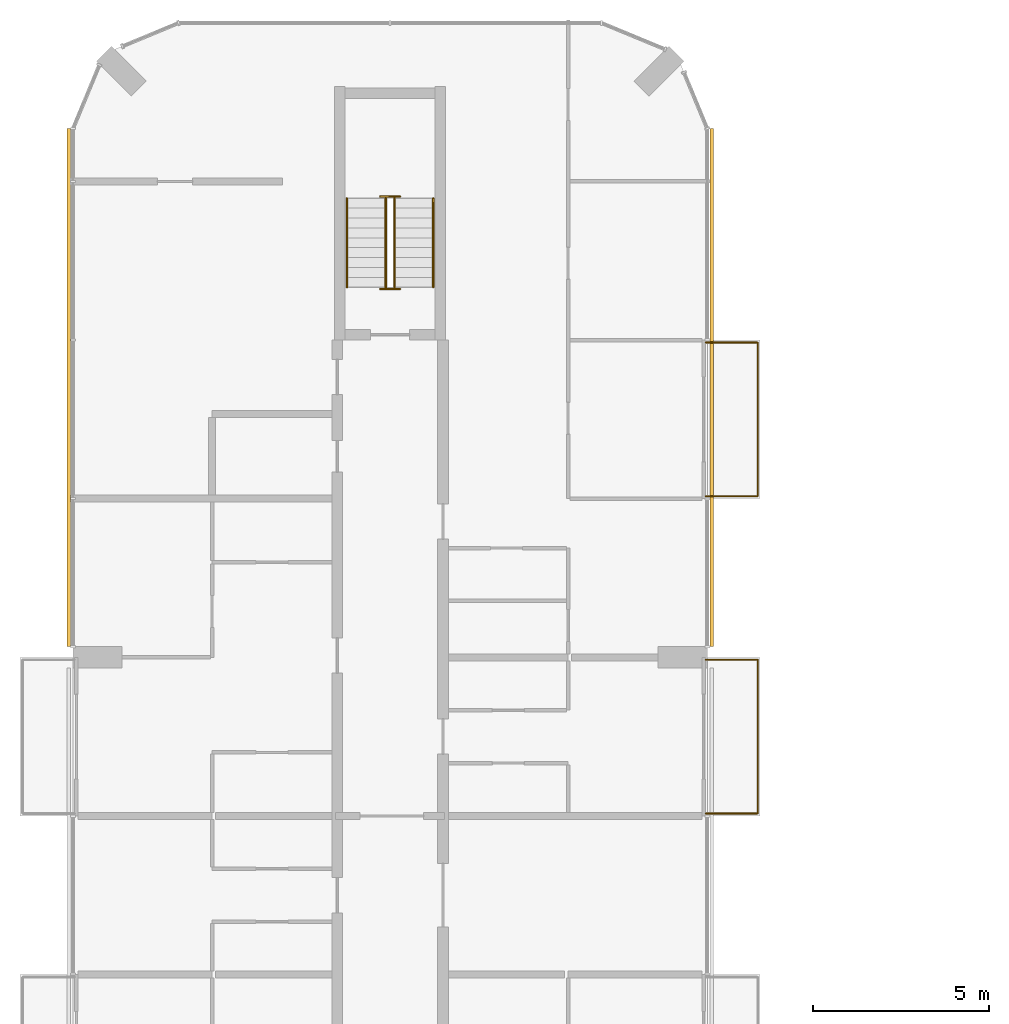
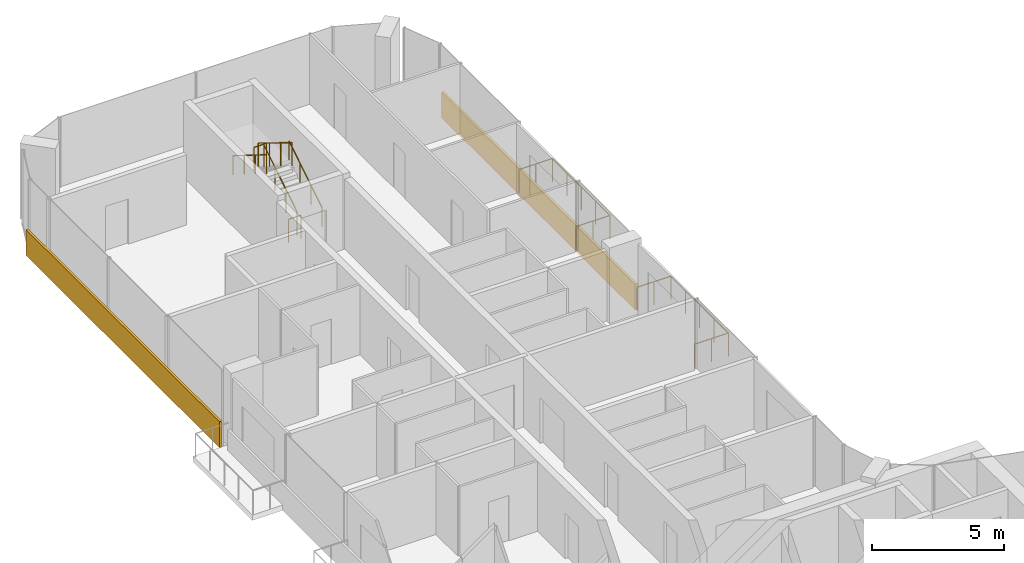
# One storey, part 17 of 17: 8 railings, 2 coverings.
"""IFC4 building model written with IfcOpenShell, lengths in metres."""

from ifc_helpers import new_model, si_unit, direction, frame, origin, origin_2d, place, context, subcontext, project, spatial, rectangle, circle, extrude, material, layer, layer_set, type_object, element, save


model = new_model("IFC4")

# Units and contexts
model_context = context("Model", 3, precision=1e-05, world=origin(), true_north=direction((0.0, 1.0)))
body_context = subcontext(model_context, "Body", "Model", "MODEL_VIEW")
ifc_project = project(units=[si_unit("LENGTHUNIT", "METRE"), si_unit("AREAUNIT", "SQUARE_METRE"), si_unit("VOLUMEUNIT", "CUBIC_METRE"), si_unit("PLANEANGLEUNIT", "RADIAN"), si_unit("MASSUNIT", "GRAM", prefix="KILO")], contexts=[model_context])

# Site, building, storey
site_placement = place(None, origin())
site = spatial("IfcSite", under=ifc_project, at=site_placement, CompositionType="ELEMENT")
building_placement = place(site_placement, origin())
building = spatial("IfcBuilding", under=site, at=building_placement, Name="Plateau Cross Towers", CompositionType="ELEMENT")
storey_placement = place(building_placement, frame((0.0, 0.0, 146.39990234375)))
storey = spatial("IfcBuildingStorey", under=building, at=storey_placement, Name="L37", CompositionType="ELEMENT", Elevation=146.39990234375)

# Railings
ifc_material_1 = material(Name="Stainless steel and toughened glass", Category="steel")
railing_type_1 = type_object("IfcRailingType", Name="Glass balustrade guard 1100", PredefinedType="GUARDRAIL", material=ifc_material_1)
for number, where, name in (
    (1, (17.949951171875, 35.929931640625, 0.0), "Guard guard1"),
    (2, (17.949951171875, 44.929931640625, 0.0), "Guard guard1"),
):
    element("IfcRailing", number, at=place(storey_placement, frame(where)), inside=storey, type_object=railing_type_1, Name=name, PredefinedType="GUARDRAIL", context=body_context, shape_type="SweptSolid", body=[
        extrude(circle(Radius=0.02392578125, at=origin_2d()), frame((0.0, 0.0, 1.076171875), z_axis=(1.0, 0.0, 0.0), x_axis=(0.0, 1.0, 0.0)), (0.0, 0.0, 1.0), 1.47998046875),
        extrude(circle(Radius=0.02392578125, at=origin_2d()), frame((1.47998046875, 0.0, 1.076171875), z_axis=(0.0, -1.0, 0.0), x_axis=(1.0, 0.0, 0.0)), (0.0, 0.0, 1.0), 4.35986328125),
        extrude(circle(Radius=0.02392578125, at=origin_2d()), frame((1.47998046875, -4.35986328125, 1.076171875), z_axis=(-1.0, 0.0, 0.0), x_axis=(0.0, -1.0, 0.0)), (0.0, 0.0, 1.0), 1.47998046875),
        extrude(circle(Radius=0.02099609375, at=origin_2d()), origin(), (0.0, 0.0, 1.0), 1.052001953125),
        extrude(circle(Radius=0.02099609375, at=origin_2d()), frame((0.739990234375, 0.0, 0.0)), (0.0, 0.0, 1.0), 1.052001953125),
        extrude(circle(Radius=0.02099609375, at=origin_2d()), frame((1.47998046875, 0.0, 0.0)), (0.0, 0.0, 1.0), 1.052001953125),
        extrude(circle(Radius=0.02099609375, at=origin_2d()), frame((1.47998046875, -1.08984375, 0.0)), (0.0, 0.0, 1.0), 1.052001953125),
        extrude(circle(Radius=0.02099609375, at=origin_2d()), frame((1.47998046875, -2.179931640625, 0.0)), (0.0, 0.0, 1.0), 1.052001953125),
        extrude(circle(Radius=0.02099609375, at=origin_2d()), frame((1.47998046875, -3.27001953125, 0.0)), (0.0, 0.0, 1.0), 1.052001953125),
        extrude(circle(Radius=0.02099609375, at=origin_2d()), frame((1.47998046875, -4.35986328125, 0.0)), (0.0, 0.0, 1.0), 1.052001953125),
        extrude(circle(Radius=0.02099609375, at=origin_2d()), frame((0.739990234375, -4.35986328125, 0.0)), (0.0, 0.0, 1.0), 1.052001953125),
        extrude(circle(Radius=0.02099609375, at=origin_2d()), frame((0.0, -4.35986328125, 0.0)), (0.0, 0.0, 1.0), 1.052001953125),
    ])
railing_type_2 = type_object("IfcRailingType", Name="RL-GUARD-1100", PredefinedType="GUARDRAIL", material=ifc_material_1)
railing_1_placement = place(storey_placement, frame((9.125, 46.5, 0.175048828125)))
element("IfcRailing", 3, at=railing_1_placement, inside=storey, type_object=railing_type_2, Name="L37 ES-N stair guard 1", PredefinedType="GUARDRAIL", context=body_context, shape_type="SweptSolid", body=[
    extrude(circle(Radius=0.02392578125, at=origin_2d()), frame((0.0, 0.0, 1.076171875), z_axis=(0.0, 0.848007534815, 0.529984170421), x_axis=(-1.0, 0.0, 0.0)), (0.0, 0.0, 1.0), 2.9716796875),
    extrude(circle(Radius=0.02099609375, at=origin_2d()), origin(), (0.0, 0.0, 1.0), 1.052001953125),
    extrude(circle(Radius=0.02099609375, at=origin_2d()), frame((0.0, 0.840087890625, 0.52490234375)), (0.0, 0.0, 1.0), 1.052001953125),
    extrude(circle(Radius=0.02099609375, at=origin_2d()), frame((0.0, 1.679931640625, 1.050048828125)), (0.0, 0.0, 1.0), 1.052001953125),
    extrude(circle(Radius=0.02099609375, at=origin_2d()), frame((0.0, 2.52001953125, 1.574951171875)), (0.0, 0.0, 1.0), 1.052001953125),
])
railing_2_placement = place(storey_placement, frame((9.27490234375, 49.070068359375, 1.75)))
element("IfcRailing", 4, at=railing_2_placement, inside=storey, type_object=railing_type_2, Name="L37 ES-N stair guard 2", PredefinedType="GUARDRAIL", context=body_context, shape_type="SweptSolid", body=[
    extrude(circle(Radius=0.02392578125, at=origin_2d()), frame((0.0, 0.0, 1.076171875), z_axis=(-1.0, 0.0, 0.0), x_axis=(0.0, -1.0, 0.0)), (0.0, 0.0, 1.0), 0.5498046875),
    extrude(circle(Radius=0.02099609375, at=origin_2d()), origin(), (0.0, 0.0, 1.0), 1.052001953125),
    extrude(circle(Radius=0.02099609375, at=origin_2d()), frame((-0.5498046875, 0.0, 0.0)), (0.0, 0.0, 1.0), 1.052001953125),
])
railing_3_placement = place(storey_placement, frame((8.875, 49.02001953125, 1.925048828125)))
element("IfcRailing", 5, at=railing_3_placement, inside=storey, type_object=railing_type_2, Name="L37 ES-N stair guard 3", PredefinedType="GUARDRAIL", context=body_context, shape_type="SweptSolid", body=[
    extrude(circle(Radius=0.02392578125, at=origin_2d()), frame((0.0, 0.0, 1.076171875), z_axis=(0.0, -0.852638500773, 0.522501279423), x_axis=(1.0, 0.0, 0.0)), (0.0, 0.0, 1.0), 3.01416015625),
    extrude(circle(Radius=0.02099609375, at=origin_2d()), origin(), (0.0, 0.0, 1.0), 1.052001953125),
    extrude(circle(Radius=0.02099609375, at=origin_2d()), frame((0.0, -0.856689453125, 0.52490234375)), (0.0, 0.0, 1.0), 1.052001953125),
    extrude(circle(Radius=0.02099609375, at=origin_2d()), frame((0.0, -1.71337890625, 1.050048828125)), (0.0, 0.0, 1.0), 1.052001953125),
    extrude(circle(Radius=0.02099609375, at=origin_2d()), frame((0.0, -2.570068359375, 1.574951171875)), (0.0, 0.0, 1.0), 1.052001953125),
])
railing_4_placement = place(storey_placement, frame((9.27490234375, 46.449951171875, 0.0)))
element("IfcRailing", 6, at=railing_4_placement, inside=storey, type_object=railing_type_2, Name="L37 ES-N stair guard 4", PredefinedType="GUARDRAIL", context=body_context, shape_type="SweptSolid", body=[
    extrude(circle(Radius=0.02392578125, at=origin_2d()), frame((0.0, 0.0, 1.076171875), z_axis=(-1.0, 0.0, 0.0), x_axis=(0.0, -1.0, 0.0)), (0.0, 0.0, 1.0), 0.5498046875),
    extrude(circle(Radius=0.02099609375, at=origin_2d()), origin(), (0.0, 0.0, 1.0), 1.052001953125),
    extrude(circle(Radius=0.02099609375, at=origin_2d()), frame((-0.5498046875, 0.0, 0.0)), (0.0, 0.0, 1.0), 1.052001953125),
])
ifc_material_2 = material(Name="Black anodised aluminium", Category="aluminium")
railing_type_3 = type_object("IfcRailingType", Name="RL-HANDRAIL-900", PredefinedType="HANDRAIL", material=ifc_material_2)
railing_5_placement = place(storey_placement, frame((10.22509765625, 46.5, 0.175048828125)))
element("IfcRailing", 7, at=railing_5_placement, inside=storey, type_object=railing_type_3, Name="L37 ES-N stair handrail 1", PredefinedType="HANDRAIL", context=body_context, shape_type="SweptSolid", body=[
    extrude(circle(Radius=0.02392578125, at=origin_2d()), frame((0.0, 0.0, 0.8759765625), z_axis=(0.0, 0.848007534815, 0.529984170421), x_axis=(-1.0, 0.0, 0.0)), (0.0, 0.0, 1.0), 2.9716796875),
    extrude(circle(Radius=0.02099609375, at=origin_2d()), origin(), (0.0, 0.0, 1.0), 0.851806640625),
    extrude(circle(Radius=0.02099609375, at=origin_2d()), frame((0.0, 0.840087890625, 0.52490234375)), (0.0, 0.0, 1.0), 0.851806640625),
    extrude(circle(Radius=0.02099609375, at=origin_2d()), frame((0.0, 1.679931640625, 1.050048828125)), (0.0, 0.0, 1.0), 0.851806640625),
    extrude(circle(Radius=0.02099609375, at=origin_2d()), frame((0.0, 2.52001953125, 1.574951171875)), (0.0, 0.0, 1.0), 0.851806640625),
])
railing_6_placement = place(storey_placement, frame((7.77490234375, 49.02001953125, 1.925048828125)))
element("IfcRailing", 8, at=railing_6_placement, inside=storey, type_object=railing_type_3, Name="L37 ES-N stair handrail 2", PredefinedType="HANDRAIL", context=body_context, shape_type="SweptSolid", body=[
    extrude(circle(Radius=0.02392578125, at=origin_2d()), frame((0.0, 0.0, 0.8759765625), z_axis=(0.0, -0.848007534815, 0.529984170421), x_axis=(1.0, 0.0, 0.0)), (0.0, 0.0, 1.0), 2.9716796875),
    extrude(circle(Radius=0.02099609375, at=origin_2d()), origin(), (0.0, 0.0, 1.0), 0.851806640625),
    extrude(circle(Radius=0.02099609375, at=origin_2d()), frame((0.0, -0.840087890625, 0.52490234375)), (0.0, 0.0, 1.0), 0.851806640625),
    extrude(circle(Radius=0.02099609375, at=origin_2d()), frame((0.0, -1.679931640625, 1.050048828125)), (0.0, 0.0, 1.0), 0.851806640625),
    extrude(circle(Radius=0.02099609375, at=origin_2d()), frame((0.0, -2.52001953125, 1.574951171875)), (0.0, 0.0, 1.0), 0.851806640625),
])

# Coverings
ifc_material_3 = material(Name="Precast concrete cladding C40/50", Category="concrete")
ifc_layer = layer(ifc_material_3, 0.10009765625)
ifc_layer_set = layer_set([ifc_layer], Name="Precast concrete cladding C40/50")
covering_type = type_object("IfcCoveringType", Name="Spandrel band cladding 100x1200", PredefinedType="CLADDING", material=ifc_layer_set)
for number, where, z_axis, x_axis, name in (
    (9, (18.1201171875, 43.64990234375, -0.25), (0.0, 0.0, 1.0), (0.0, 1.0, 0.0), "Spandrel band"),
    (10, (-0.1201171875, 43.64990234375, -0.25), (0.0, 0.0, 1.0), (0.0, -1.0, 0.0), "Spandrel band"),
):
    element("IfcCovering", number, at=place(storey_placement, frame(where, z_axis=z_axis, x_axis=x_axis)), inside=storey, type_object=covering_type, Name=name, PredefinedType="CLADDING", context=body_context, shape_type="SweptSolid", body=[
        extrude(rectangle(XDim=14.699951171875, YDim=0.10009765625, at=origin_2d()), origin(), (0.0, 0.0, 1.0), 1.199951171875),
    ])

save(model, "model.ifc")
